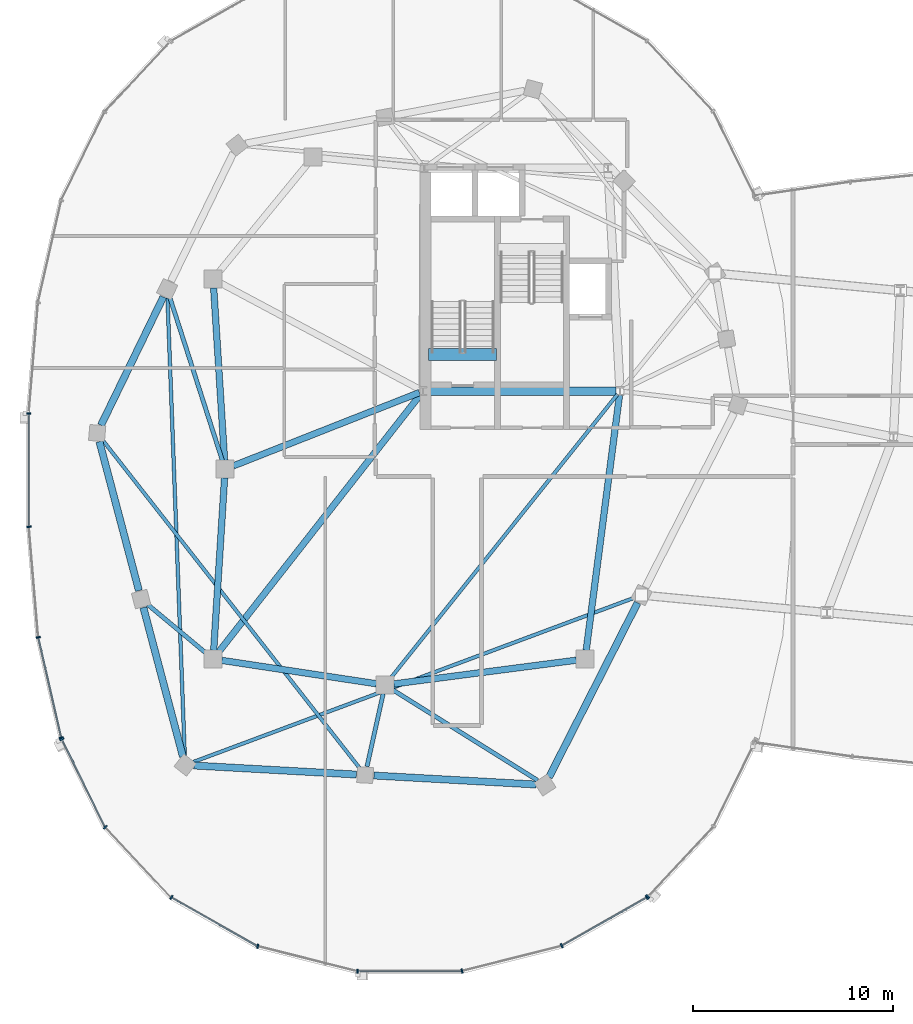
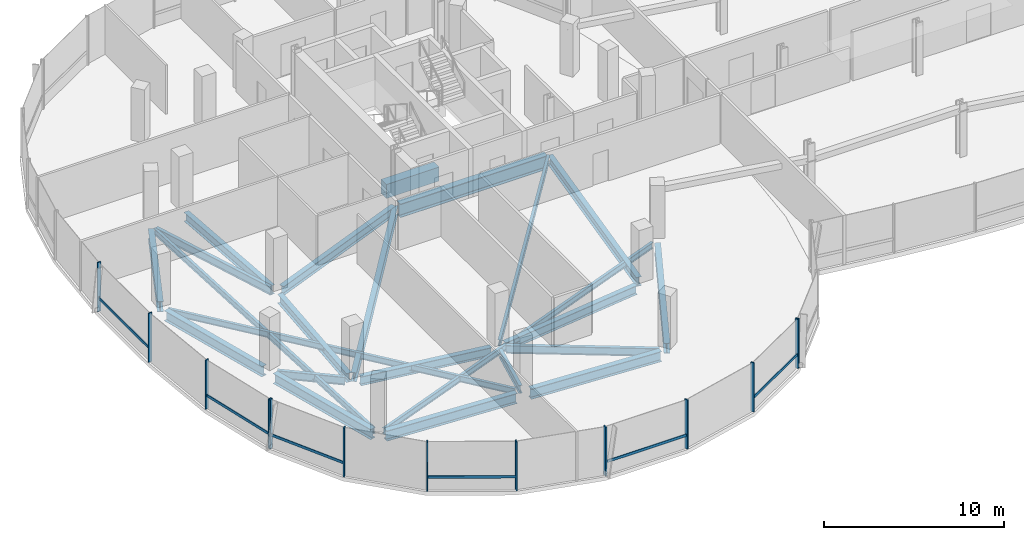
# One storey, part 3 of 25: 23 beams, 19 members, 3 elements without a shape of their own.
"""IFC4 building model written with IfcOpenShell, lengths in metres."""

from ifc_helpers import new_model, si_unit, direction, frame, origin, origin_2d, place, context, subcontext, project, spatial, rectangle, i_section, extrude, material, material_profile, profile_set, type_object, element, aggregate, save


model = new_model("IFC4")

# Units and contexts
model_context = context("Model", 3, precision=1e-05, world=origin(), true_north=direction((0.0, 1.0)))
body_context = subcontext(model_context, "Body", "Model", "MODEL_VIEW")
ifc_project = project(units=[si_unit("LENGTHUNIT", "METRE"), si_unit("AREAUNIT", "SQUARE_METRE"), si_unit("VOLUMEUNIT", "CUBIC_METRE"), si_unit("PLANEANGLEUNIT", "RADIAN"), si_unit("MASSUNIT", "GRAM", prefix="KILO"), si_unit("THERMODYNAMICTEMPERATUREUNIT", "KELVIN"), si_unit("POWERUNIT", "WATT")], contexts=[model_context])

# Site, building, storey
site_placement = place(None, origin())
site = spatial("IfcSite", under=ifc_project, at=site_placement, CompositionType="ELEMENT")
building_placement = place(site_placement, origin())
building = spatial("IfcBuilding", under=site, at=building_placement, Name="Cundina Bronze Exchange", CompositionType="ELEMENT")
storey_placement = place(building_placement, frame((0.0, 0.0, 239.60009765625)))
storey = spatial("IfcBuildingStorey", under=building, at=storey_placement, Name="L63", CompositionType="ELEMENT", Elevation=239.60009765625)

# Beams
ifc_material_1 = material(Name="Concrete C60/75", Category="concrete")
ifc_material_profile_1 = material_profile(ifc_material_1, rectangle(XDim=0.60009765625, YDim=0.949951171875, at=origin_2d()), Name="RC600X950", Category="concrete")
ifc_profile_set_1 = profile_set([ifc_material_profile_1], Name="Concrete C60/75")
beam_type_1 = type_object("IfcBeamType", Name="BM-COUP-RC950", PredefinedType="LINTEL", material=ifc_profile_set_1)
beam_1_placement = place(storey_placement, frame((-31.02001953125, 5.719970703125, -0.47509765625), z_axis=(1.0, 0.0, 0.0), x_axis=(0.0, 1.0, 0.0)))
element("IfcBeam", 1, at=beam_1_placement, inside=storey, type_object=beam_type_1, Name="L63 Stair W1 Landing Header Beam", PredefinedType="LINTEL", context=body_context, shape_type="SweptSolid", body=[
    extrude(rectangle(XDim=0.60009765625, YDim=0.949951171875, at=origin_2d()), origin(), (0.0, 0.0, 1.0), 3.39990234375),
])
ifc_material_2 = material(Name="Steel ASTM A992 Grade 50", Category="steel")
ifc_material_profile_2 = material_profile(ifc_material_2, i_section(OverallWidth=0.2119140625, OverallDepth=0.5439453125, WebThickness=0.01318359375, FlangeThickness=0.021240234375, FilletRadius=0.013916015625, at=origin_2d()), Name="W21X83", Category="steel")
ifc_profile_set_2 = profile_set([ifc_material_profile_2], Name="Steel ASTM A992 Grade 50")
beam_type_2 = type_object("IfcBeamType", Name="BM-FLR-W21A", PredefinedType="BEAM", material=ifc_profile_set_2)
beam_2_placement = place(storey_placement, frame((-41.334228515625, 0.4169921875, -0.531982421875), z_axis=(-0.306727566953, 0.951797352208, 0.0), x_axis=(-0.951797352208, -0.306727566953, 0.0)))
element("IfcBeam", 2, at=beam_2_placement, inside=storey, type_object=beam_type_2, Name="L63 Leg W Radial Floor Beam 07", PredefinedType="BEAM", context=body_context, shape_type="SweptSolid", body=[
    extrude(i_section(OverallWidth=0.2119140625, OverallDepth=0.5439453125, WebThickness=0.01318359375, FlangeThickness=0.021240234375, FilletRadius=0.013916015625, at=origin_2d()), origin(), (0.0, 0.0, 1.0), 8.57958984375),
])
beam_3_placement = place(storey_placement, frame((-42.136474609375, -9.219482421875, -0.531982421875), z_axis=(-0.768247540987, 0.640152884683, 0.0), x_axis=(-0.640152884683, -0.768247540987, 0.0)))
element("IfcBeam", 3, at=beam_3_placement, inside=storey, type_object=beam_type_2, Name="L63 Leg W Radial Floor Beam 09", PredefinedType="BEAM", context=body_context, shape_type="SweptSolid", body=[
    extrude(i_section(OverallWidth=0.2119140625, OverallDepth=0.5439453125, WebThickness=0.01318359375, FlangeThickness=0.021240234375, FilletRadius=0.013916015625, at=origin_2d()), origin(), (0.0, 0.0, 1.0), 3.81005859375),
])
beam_4_placement = place(storey_placement, frame((-33.294921875, -11.2275390625, -0.531982421875), z_axis=(-0.216958151571, -0.976180905605, 0.0), x_axis=(0.976180905605, -0.216958151571, 0.0)))
element("IfcBeam", 4, at=beam_4_placement, inside=storey, type_object=beam_type_2, Name="L63 Leg W Radial Floor Beam 11", PredefinedType="BEAM", context=body_context, shape_type="SweptSolid", body=[
    extrude(i_section(OverallWidth=0.2119140625, OverallDepth=0.5439453125, WebThickness=0.01318359375, FlangeThickness=0.021240234375, FilletRadius=0.013916015625, at=origin_2d()), origin(), (0.0, 0.0, 1.0), 3.733642578125),
])
beam_5_placement = place(storey_placement, frame((-32.82861328125, -11.031982421875, -0.531982421875), z_axis=(0.847995098703, -0.530004068452, 0.0), x_axis=(0.530004068452, 0.847995098703, 0.0)))
element("IfcBeam", 5, at=beam_5_placement, inside=storey, type_object=beam_type_2, Name="L63 Leg W Radial Floor Beam 12", PredefinedType="BEAM", context=body_context, shape_type="SweptSolid", body=[
    extrude(i_section(OverallWidth=0.2119140625, OverallDepth=0.5439453125, WebThickness=0.01318359375, FlangeThickness=0.021240234375, FilletRadius=0.013916015625, at=origin_2d()), origin(), (0.0, 0.0, 1.0), 8.55810546875),
])
ifc_material_profile_3 = material_profile(ifc_material_2, i_section(OverallWidth=0.178955078125, OverallDepth=0.409912109375, WebThickness=0.0087890625, FlangeThickness=0.014404296875, FilletRadius=0.010986328125, at=origin_2d()), Name="W16X45", Category="steel")
ifc_profile_set_3 = profile_set([ifc_material_profile_3], Name="Steel ASTM A992 Grade 50")
beam_type_3 = type_object("IfcBeamType", Name="BM-JST-W16", PredefinedType="JOIST", material=ifc_profile_set_3)
beam_6_placement = place(storey_placement, frame((-21.572509765625, 3.746826171875, -0.465087890625), z_axis=(-0.624364266872, -0.781133319129, 0.0), x_axis=(0.781133319129, -0.624364266872, 0.0)))
element("IfcBeam", 6, at=beam_6_placement, inside=storey, type_object=beam_type_3, Name="L63 W Interior Core-to-Ring Joist 2", PredefinedType="JOIST", context=body_context, shape_type="SweptSolid", body=[
    extrude(i_section(OverallWidth=0.178955078125, OverallDepth=0.409912109375, WebThickness=0.0087890625, FlangeThickness=0.014404296875, FilletRadius=0.010986328125, at=origin_2d()), origin(), (0.0, 0.0, 1.0), 18.184814453125),
])
beam_7_placement = place(storey_placement, frame((-44.08349609375, 8.562255859375, -0.465087890625), z_axis=(0.037790216102, -0.999285694667, 0.0), x_axis=(0.999285694667, 0.037790216102, 0.0)))
element("IfcBeam", 7, at=beam_7_placement, inside=storey, type_object=beam_type_3, Name="L63 Leg W Lobe Floor Joist 07-10", PredefinedType="JOIST", context=body_context, shape_type="SweptSolid", body=[
    extrude(i_section(OverallWidth=0.178955078125, OverallDepth=0.409912109375, WebThickness=0.0087890625, FlangeThickness=0.014404296875, FilletRadius=0.010986328125, at=origin_2d()), origin(), (0.0, 0.0, 1.0), 22.94091796875),
])
beam_8_placement = place(storey_placement, frame((-47.329833984375, 1.455078125, -0.465087890625), z_axis=(0.616810493522, -0.787111691618, 0.0), x_axis=(0.787111691618, 0.616810493522, 0.0)))
element("IfcBeam", 8, at=beam_8_placement, inside=storey, type_object=beam_type_3, Name="L63 Leg W Lobe Floor Joist 08-11", PredefinedType="JOIST", context=body_context, shape_type="SweptSolid", body=[
    extrude(i_section(OverallWidth=0.178955078125, OverallDepth=0.409912109375, WebThickness=0.0087890625, FlangeThickness=0.014404296875, FilletRadius=0.010986328125, at=origin_2d()), origin(), (0.0, 0.0, 1.0), 20.8486328125),
])
beam_9_placement = place(storey_placement, frame((-42.78955078125, -14.647216796875, -0.465087890625), z_axis=(0.937127927239, 0.348986028358, 0.0), x_axis=(-0.348986028358, 0.937127927239, 0.0)))
element("IfcBeam", 9, at=beam_9_placement, inside=storey, type_object=beam_type_3, Name="L63 Leg W Lobe Floor Joist 10-13", PredefinedType="JOIST", context=body_context, shape_type="SweptSolid", body=[
    extrude(i_section(OverallWidth=0.178955078125, OverallDepth=0.409912109375, WebThickness=0.0087890625, FlangeThickness=0.014404296875, FilletRadius=0.010986328125, at=origin_2d()), origin(), (0.0, 0.0, 1.0), 23.48046875),
])
ifc_material_profile_4 = material_profile(ifc_material_2, i_section(OverallWidth=0.324951171875, OverallDepth=0.615966796875, WebThickness=0.013916015625, FlangeThickness=0.021484375, FilletRadius=0.01611328125, at=origin_2d()), Name="W24X117", Category="steel")
ifc_profile_set_4 = profile_set([ifc_material_profile_4], Name="Steel ASTM A992 Grade 50")
beam_type_4 = type_object("IfcBeamType", Name="BM-RING-W24", PredefinedType="USERDEFINED", material=ifc_profile_set_4)
for number, where, z_axis, x_axis, name in (
    (10, (-41.7724609375, 9.06298828125, -0.568115234375), (0.063046519736, -0.998010589297, 0.0), (0.998010589297, 0.063046519736, 0.0), "L63 W Inner Structural Ring Girder 03"),
    (11, (-41.2275390625, -0.43701171875, -0.568115234375), (-0.063046519736, -0.998010589297, 0.0), (0.998010589297, -0.063046519736, 0.0), "L63 W Inner Structural Ring Girder 04"),
):
    element("IfcBeam", number, at=place(storey_placement, frame(where, z_axis=z_axis, x_axis=x_axis)), inside=storey, type_object=beam_type_4, Name=name, ObjectType="GIRDER", PredefinedType="USERDEFINED", context=body_context, shape_type="SweptSolid", body=[
        extrude(i_section(OverallWidth=0.324951171875, OverallDepth=0.615966796875, WebThickness=0.013916015625, FlangeThickness=0.021484375, FilletRadius=0.01611328125, at=origin_2d()), origin(), (0.0, 0.0, 1.0), 8.64306640625),
    ])
beam_10_placement = place(storey_placement, frame((-41.366943359375, -9.5654296875, -0.568115234375), z_axis=(0.988764903598, -0.149478979839, 0.0), x_axis=(0.149478979839, 0.988764903598, 0.0)))
element("IfcBeam", 12, at=beam_10_placement, inside=storey, type_object=beam_type_4, Name="L63 W Inner Structural Ring Girder 05", ObjectType="GIRDER", PredefinedType="USERDEFINED", context=body_context, shape_type="SweptSolid", body=[
    extrude(i_section(OverallWidth=0.324951171875, OverallDepth=0.615966796875, WebThickness=0.013916015625, FlangeThickness=0.021484375, FilletRadius=0.01611328125, at=origin_2d()), origin(), (0.0, 0.0, 1.0), 7.82177734375),
])
beam_11_placement = place(storey_placement, frame((-32.765625, -10.743408203125, -0.568115234375), z_axis=(0.991656498582, 0.128908451316, 0.0), x_axis=(-0.128908451316, 0.991656498582, 0.0)))
element("IfcBeam", 13, at=beam_11_placement, inside=storey, type_object=beam_type_4, Name="L63 W Inner Structural Ring Girder 06", ObjectType="GIRDER", PredefinedType="USERDEFINED", context=body_context, shape_type="SweptSolid", body=[
    extrude(i_section(OverallWidth=0.324951171875, OverallDepth=0.615966796875, WebThickness=0.013916015625, FlangeThickness=0.021484375, FilletRadius=0.01611328125, at=origin_2d()), origin(), (0.0, 0.0, 1.0), 9.208251953125),
])
beam_12_placement = place(storey_placement, frame((-23.143310546875, -9.065673828125, -0.568115234375), z_axis=(0.129501251979, 0.991579258424, 0.0), x_axis=(-0.991579258424, 0.129501251979, 0.0)))
element("IfcBeam", 14, at=beam_12_placement, inside=storey, type_object=beam_type_4, Name="L63 W Inner Structural Ring Girder 07", ObjectType="GIRDER", PredefinedType="USERDEFINED", context=body_context, shape_type="SweptSolid", body=[
    extrude(i_section(OverallWidth=0.324951171875, OverallDepth=0.615966796875, WebThickness=0.013916015625, FlangeThickness=0.021484375, FilletRadius=0.01611328125, at=origin_2d()), origin(), (0.0, 0.0, 1.0), 12.8798828125),
])
beam_13_placement = place(storey_placement, frame((-31.482421875, 3.828125, -0.568115234375), z_axis=(-0.930404106569, -0.366535398673, 0.0), x_axis=(0.366535398673, -0.930404106569, 0.0)))
element("IfcBeam", 15, at=beam_13_placement, inside=storey, type_object=beam_type_4, Name="L63 W Core-to-Waist Tie Beam 1", ObjectType="GIRDER", PredefinedType="USERDEFINED", context=body_context, shape_type="SweptSolid", body=[
    extrude(i_section(OverallWidth=0.324951171875, OverallDepth=0.615966796875, WebThickness=0.013916015625, FlangeThickness=0.021484375, FilletRadius=0.01611328125, at=origin_2d()), origin(), (0.0, 0.0, 1.0), 10.00634765625),
])
beam_14_placement = place(storey_placement, frame((-31.4208984375, 3.74560546875, -0.568115234375), z_axis=(-0.616782900053, -0.787133314123, 0.0), x_axis=(0.787133314123, -0.616782900053, 0.0)))
element("IfcBeam", 16, at=beam_14_placement, inside=storey, type_object=beam_type_4, Name="L63 W Core-to-Waist Tie Beam 3", ObjectType="GIRDER", PredefinedType="USERDEFINED", context=body_context, shape_type="SweptSolid", body=[
    extrude(i_section(OverallWidth=0.324951171875, OverallDepth=0.615966796875, WebThickness=0.013916015625, FlangeThickness=0.021484375, FilletRadius=0.01611328125, at=origin_2d()), origin(), (0.0, 0.0, 1.0), 16.3896484375),
])
ifc_material_profile_5 = material_profile(ifc_material_2, i_section(OverallWidth=0.35498046875, OverallDepth=0.695068359375, WebThickness=0.015380859375, FlangeThickness=0.02490234375, FilletRadius=0.01806640625, at=origin_2d()), Name="W27X146", Category="steel")
ifc_profile_set_5 = profile_set([ifc_material_profile_5], Name="Steel ASTM A992 Grade 50")
beam_type_5 = type_object("IfcBeamType", Name="BM-RING-W27", PredefinedType="USERDEFINED", material=ifc_profile_set_5)
beam_15_placement = place(storey_placement, frame((-44.29150390625, 8.606201171875, -0.607666015625), z_axis=(-0.437173087764, -0.89937739094, 0.0), x_axis=(0.89937739094, -0.437173087764, 0.0)))
element("IfcBeam", 17, at=beam_15_placement, inside=storey, type_object=beam_type_5, Name="L63 W Perimeter Ring Girder 07", ObjectType="GIRDER", PredefinedType="USERDEFINED", context=body_context, shape_type="SweptSolid", body=[
    extrude(i_section(OverallWidth=0.35498046875, OverallDepth=0.695068359375, WebThickness=0.015380859375, FlangeThickness=0.02490234375, FilletRadius=0.01806640625, at=origin_2d()), origin(), (0.0, 0.0, 1.0), 7.1298828125),
])
for number, where, z_axis, x_axis, name in (
    (18, (-47.48779296875, 1.376708984375, -0.607666015625), (0.256211934474, -0.966620631185, 0.0), (0.966620631185, 0.256211934474, 0.0), "L63 W Perimeter Ring Girder 08"),
    (19, (-45.287841796875, -6.92333984375, -0.607666015625), (0.256211934474, -0.966620631185, 0.0), (0.966620631185, 0.256211934474, 0.0), "L63 W Perimeter Ring Girder 09"),
):
    element("IfcBeam", number, at=place(storey_placement, frame(where, z_axis=z_axis, x_axis=x_axis)), inside=storey, type_object=beam_type_5, Name=name, ObjectType="GIRDER", PredefinedType="USERDEFINED", context=body_context, shape_type="SweptSolid", body=[
        extrude(i_section(OverallWidth=0.35498046875, OverallDepth=0.695068359375, WebThickness=0.015380859375, FlangeThickness=0.02490234375, FilletRadius=0.01806640625, at=origin_2d()), origin(), (0.0, 0.0, 1.0), 7.710693359375),
    ])
for number, where, z_axis, x_axis, name in (
    (20, (-42.7626953125, -14.82421875, -0.607666015625), (0.998460353205, -0.055470019623, 0.0), (0.055470019623, 0.998460353205, 0.0), "L63 W Perimeter Ring Girder 10"),
    (21, (-33.7626953125, -15.32421875, -0.607666015625), (0.998460353205, -0.055470019623, 0.0), (0.055470019623, 0.998460353205, 0.0), "L63 W Perimeter Ring Girder 11"),
):
    element("IfcBeam", number, at=place(storey_placement, frame(where, z_axis=z_axis, x_axis=x_axis)), inside=storey, type_object=beam_type_5, Name=name, ObjectType="GIRDER", PredefinedType="USERDEFINED", context=body_context, shape_type="SweptSolid", body=[
        extrude(i_section(OverallWidth=0.35498046875, OverallDepth=0.695068359375, WebThickness=0.015380859375, FlangeThickness=0.02490234375, FilletRadius=0.01806640625, at=origin_2d()), origin(), (0.0, 0.0, 1.0), 8.137939453125),
    ])
beam_16_placement = place(storey_placement, frame((-25.001708984375, -15.409423828125, -0.607666015625), z_axis=(0.452846871434, 0.891588308039, 0.0), x_axis=(-0.891588308039, 0.452846871434, 0.0)))
element("IfcBeam", 22, at=beam_16_placement, inside=storey, type_object=beam_type_5, Name="L63 W Perimeter Ring Girder 12", ObjectType="GIRDER", PredefinedType="USERDEFINED", context=body_context, shape_type="SweptSolid", body=[
    extrude(i_section(OverallWidth=0.35498046875, OverallDepth=0.695068359375, WebThickness=0.015380859375, FlangeThickness=0.02490234375, FilletRadius=0.01806640625, at=origin_2d()), origin(), (0.0, 0.0, 1.0), 9.779052734375),
])
ifc_material_profile_6 = material_profile(ifc_material_2, i_section(OverallWidth=0.41796875, OverallDepth=0.927001953125, WebThickness=0.019287109375, FlangeThickness=0.031982421875, FilletRadius=0.02392578125, at=origin_2d()), Name="W36X231", Category="steel")
ifc_profile_set_6 = profile_set([ifc_material_profile_6], Name="Steel ASTM A992 Grade 50")
beam_type_6 = type_object("IfcBeamType", Name="BM-WRN-W36B", PredefinedType="USERDEFINED", material=ifc_profile_set_6)
beam_17_placement = place(storey_placement, frame((-31.10400390625, 3.89990234375, -0.7236328125), z_axis=(1.0, 0.0, 0.0), x_axis=(0.0, 1.0, 0.0)))
element("IfcBeam", 23, at=beam_17_placement, inside=storey, type_object=beam_type_6, Name="L63 W Core Perimeter Tie Girder 1", ObjectType="GIRDER", PredefinedType="USERDEFINED", context=body_context, shape_type="SweptSolid", body=[
    extrude(i_section(OverallWidth=0.41796875, OverallDepth=0.927001953125, WebThickness=0.019287109375, FlangeThickness=0.031982421875, FilletRadius=0.02392578125, at=origin_2d()), origin(), (0.0, 0.0, 1.0), 9.4580078125),
])

# Curtain wall, members
ifc_material_3 = material(Name="Anodised Bronze Aluminium 6063-T6", Category="aluminium")
curtain_wall_type = type_object("IfcCurtainWallType", Name="CWS-SKG-BRG", PredefinedType="NOTDEFINED", material=ifc_material_3)
curtain_wall_1_placement = place(storey_placement, origin())
curtain_wall_1 = element("IfcCurtainWall", 24, at=curtain_wall_1_placement, inside=storey, type_object=curtain_wall_type, Name="L63 CW-06 Curtain Wall Run CWR-L63-W2", PredefinedType="NOTDEFINED")
ifc_material_profile_7 = material_profile(ifc_material_3, rectangle(XDim=0.074951171875, YDim=0.219970703125, at=origin_2d()), Name="AL75X220", Category="aluminium")
ifc_profile_set_7 = profile_set([ifc_material_profile_7], Name="Anodised Bronze Aluminium 6063-T6")
member_type_1 = type_object("IfcMemberType", Name="CWM-MUL-220", PredefinedType="MULLION", material=ifc_profile_set_7)
member_1_placement = place(storey_placement, frame((-51.01904296875, 2.79150390625, 0.0), z_axis=(0.0, 0.0, 1.0), x_axis=(0.0, -1.0, 0.0)))
member_1 = element("IfcMember", 25, at=member_1_placement, type_object=member_type_1, Name="CW-06 Mullion 5", PredefinedType="MULLION", context=body_context, shape_type="SweptSolid", body=[
    extrude(rectangle(XDim=0.074951171875, YDim=0.219970703125, at=origin_2d()), origin(), (0.0, 0.0, 1.0), 3.33984375),
])
member_2_placement = place(storey_placement, frame((-51.01513671875, -2.885498046875, 0.0), z_axis=(0.0, 0.0, 1.0), x_axis=(0.083677843332, -0.99649285925, 0.0)))
member_2 = element("IfcMember", 26, at=member_2_placement, type_object=member_type_1, Name="CW-06 Mullion 6", PredefinedType="MULLION", context=body_context, shape_type="SweptSolid", body=[
    extrude(rectangle(XDim=0.074951171875, YDim=0.219970703125, at=origin_2d()), origin(), (0.0, 0.0, 1.0), 3.33984375),
])
member_3_placement = place(storey_placement, frame((-50.544677734375, -8.4111328125, 0.0), z_axis=(0.0, 0.0, 1.0), x_axis=(0.223250116011, -0.974761194191, 0.0)))
member_3 = element("IfcMember", 27, at=member_3_placement, type_object=member_type_1, Name="CW-06 Mullion 7", PredefinedType="MULLION", context=body_context, shape_type="SweptSolid", body=[
    extrude(rectangle(XDim=0.074951171875, YDim=0.219970703125, at=origin_2d()), origin(), (0.0, 0.0, 1.0), 3.33984375),
])
member_4_placement = place(storey_placement, frame((-49.39404296875, -13.433837890625, 0.0), z_axis=(0.0, 0.0, 1.0), x_axis=(0.223250116011, -0.974761194191, 0.0)))
member_4 = element("IfcMember", 28, at=member_4_placement, type_object=member_type_1, Name="CW-06 End Mullion", PredefinedType="MULLION", context=body_context, shape_type="SweptSolid", body=[
    extrude(rectangle(XDim=0.074951171875, YDim=0.219970703125, at=origin_2d()), origin(), (0.0, 0.0, 1.0), 3.33984375),
])

curtain_wall_2_placement = place(storey_placement, origin())
curtain_wall_2 = element("IfcCurtainWall", 29, at=curtain_wall_2_placement, inside=storey, type_object=curtain_wall_type, Name="L63 CW-06 Curtain Wall Run CWR-L63-W3", PredefinedType="NOTDEFINED")
member_5_placement = place(storey_placement, frame((-49.369140625, -13.50390625, 0.0), z_axis=(0.0, 0.0, 1.0), x_axis=(0.440566004113, -0.897720221461, 0.0)))
member_5 = element("IfcMember", 30, at=member_5_placement, type_object=member_type_1, Name="CW-06 Mullion 1", PredefinedType="MULLION", context=body_context, shape_type="SweptSolid", body=[
    extrude(rectangle(XDim=0.074951171875, YDim=0.219970703125, at=origin_2d()), origin(), (0.0, 0.0, 1.0), 3.33984375),
])
member_6_placement = place(storey_placement, frame((-47.1962890625, -17.910400390625, 0.0), z_axis=(0.0, 0.0, 1.0), x_axis=(0.684292606175, -0.729207535023, 0.0)))
member_6 = element("IfcMember", 31, at=member_6_placement, type_object=member_type_1, Name="CW-06 Mullion 2", PredefinedType="MULLION", context=body_context, shape_type="SweptSolid", body=[
    extrude(rectangle(XDim=0.074951171875, YDim=0.219970703125, at=origin_2d()), origin(), (0.0, 0.0, 1.0), 3.33984375),
])
member_7_placement = place(storey_placement, frame((-43.88916015625, -21.419921875, 0.0), z_axis=(0.0, 0.0, 1.0), x_axis=(0.86958112538, -0.493790103568, 0.0)))
member_7 = element("IfcMember", 32, at=member_7_placement, type_object=member_type_1, Name="CW-06 Mullion 3", PredefinedType="MULLION", context=body_context, shape_type="SweptSolid", body=[
    extrude(rectangle(XDim=0.074951171875, YDim=0.219970703125, at=origin_2d()), origin(), (0.0, 0.0, 1.0), 3.33984375),
])
member_8_placement = place(storey_placement, frame((-39.5703125, -23.86181640625, 0.0), z_axis=(0.0, 0.0, 1.0), x_axis=(0.969744325821, -0.244122802168, 0.0)))
member_8 = element("IfcMember", 33, at=member_8_placement, type_object=member_type_1, Name="CW-06 Mullion 4", PredefinedType="MULLION", context=body_context, shape_type="SweptSolid", body=[
    extrude(rectangle(XDim=0.074951171875, YDim=0.219970703125, at=origin_2d()), origin(), (0.0, 0.0, 1.0), 3.33984375),
])
member_9_placement = place(storey_placement, frame((-34.576416015625, -25.110107421875, 0.0), z_axis=(0.0, 0.0, 1.0), x_axis=(1.0, 0.0, 0.0)))
member_9 = element("IfcMember", 34, at=member_9_placement, type_object=member_type_1, Name="CW-06 Mullion 5", PredefinedType="MULLION", context=body_context, shape_type="SweptSolid", body=[
    extrude(rectangle(XDim=0.074951171875, YDim=0.219970703125, at=origin_2d()), origin(), (0.0, 0.0, 1.0), 3.33984375),
])
member_10_placement = place(storey_placement, frame((-29.351806640625, -25.10107421875, 0.0), z_axis=(0.0, 0.0, 1.0), x_axis=(0.969744325821, 0.244122802168, 0.0)))
member_10 = element("IfcMember", 35, at=member_10_placement, type_object=member_type_1, Name="CW-06 Mullion 6", PredefinedType="MULLION", context=body_context, shape_type="SweptSolid", body=[
    extrude(rectangle(XDim=0.074951171875, YDim=0.219970703125, at=origin_2d()), origin(), (0.0, 0.0, 1.0), 3.33984375),
])
member_11_placement = place(storey_placement, frame((-24.365478515625, -23.8359375, 0.0), z_axis=(0.0, 0.0, 1.0), x_axis=(0.86958112538, 0.493790103568, 0.0)))
member_11 = element("IfcMember", 36, at=member_11_placement, type_object=member_type_1, Name="CW-06 Mullion 7", PredefinedType="MULLION", context=body_context, shape_type="SweptSolid", body=[
    extrude(rectangle(XDim=0.074951171875, YDim=0.219970703125, at=origin_2d()), origin(), (0.0, 0.0, 1.0), 3.33984375),
])
member_12_placement = place(storey_placement, frame((-20.11083984375, -21.419921875, 0.0), z_axis=(0.0, 0.0, 1.0), x_axis=(0.86958112538, 0.493790103568, 0.0)))
member_12 = element("IfcMember", 37, at=member_12_placement, type_object=member_type_1, Name="CW-06 End Mullion", PredefinedType="MULLION", context=body_context, shape_type="SweptSolid", body=[
    extrude(rectangle(XDim=0.074951171875, YDim=0.219970703125, at=origin_2d()), origin(), (0.0, 0.0, 1.0), 3.33984375),
])

# Curtain wall, member
curtain_wall_3_placement = place(storey_placement, origin())
curtain_wall_3 = element("IfcCurtainWall", 38, at=curtain_wall_3_placement, inside=storey, type_object=curtain_wall_type, Name="L63 CW-06 Curtain Wall Run CWR-L63-W4", PredefinedType="NOTDEFINED")
member_13_placement = place(storey_placement, frame((-20.059814453125, -21.3798828125, 0.0), z_axis=(0.0, 0.0, 1.0), x_axis=(0.684292606175, 0.729207535023, 0.0)))
member_13 = element("IfcMember", 39, at=member_13_placement, type_object=member_type_1, Name="CW-06 Mullion 1", PredefinedType="MULLION", context=body_context, shape_type="SweptSolid", body=[
    extrude(rectangle(XDim=0.074951171875, YDim=0.219970703125, at=origin_2d()), origin(), (0.0, 0.0, 1.0), 3.33984375),
])
aggregate(curtain_wall_3, [member_13])

# Member
ifc_material_profile_8 = material_profile(ifc_material_3, rectangle(XDim=0.070068359375, YDim=0.179931640625, at=origin_2d()), Name="AL70X180", Category="aluminium")
ifc_profile_set_8 = profile_set([ifc_material_profile_8], Name="Anodised Bronze Aluminium 6063-T6")
member_type_2 = type_object("IfcMemberType", Name="CWM-TRN-180", PredefinedType="USERDEFINED", material=ifc_profile_set_8)
member_14_placement = place(storey_placement, frame((-51.01904296875, 2.750244140625, 0.919921875), z_axis=(0.0, -1.0, 0.0), x_axis=(1.0, 0.0, 0.0)))
member_14 = element("IfcMember", 40, at=member_14_placement, type_object=member_type_2, Name="CW-06 Spandrel Transom 5", ObjectType="TRANSOM", PredefinedType="USERDEFINED", context=body_context, shape_type="SweptSolid", body=[
    extrude(rectangle(XDim=0.070068359375, YDim=0.179931640625, at=origin_2d()), origin(), (0.0, 0.0, 1.0), 5.5830078125),
])

member_15_placement = place(storey_placement, frame((-50.535400390625, -8.451416015625, 0.919921875), z_axis=(0.223283702293, -0.974753501297, 0.0), x_axis=(0.974753501297, 0.223283702293, 0.0)))
member_15 = element("IfcMember", 41, at=member_15_placement, type_object=member_type_2, Name="CW-06 Spandrel Transom 7", ObjectType="TRANSOM", PredefinedType="USERDEFINED", context=body_context, shape_type="SweptSolid", body=[
    extrude(rectangle(XDim=0.070068359375, YDim=0.179931640625, at=origin_2d()), origin(), (0.0, 0.0, 1.0), 5.070068359375),
])

aggregate(curtain_wall_1, [member_1, member_14, member_2, member_3, member_4, member_15])

member_16_placement = place(storey_placement, frame((-49.35107421875, -13.541015625, 0.919921875), z_axis=(0.440554408939, -0.897725911826, 0.0), x_axis=(0.897725911826, 0.440554408939, 0.0)))
member_16 = element("IfcMember", 42, at=member_16_placement, type_object=member_type_2, Name="CW-06 Spandrel Transom 1", ObjectType="TRANSOM", PredefinedType="USERDEFINED", context=body_context, shape_type="SweptSolid", body=[
    extrude(rectangle(XDim=0.070068359375, YDim=0.179931640625, at=origin_2d()), origin(), (0.0, 0.0, 1.0), 4.848388671875),
])

member_17_placement = place(storey_placement, frame((-43.853271484375, -21.440185546875, 0.919921875), z_axis=(0.869557366176, -0.493831941989, 0.0), x_axis=(0.493831941989, 0.869557366176, 0.0)))
member_17 = element("IfcMember", 43, at=member_17_placement, type_object=member_type_2, Name="CW-06 Spandrel Transom 3", ObjectType="TRANSOM", PredefinedType="USERDEFINED", context=body_context, shape_type="SweptSolid", body=[
    extrude(rectangle(XDim=0.070068359375, YDim=0.179931640625, at=origin_2d()), origin(), (0.0, 0.0, 1.0), 4.892822265625),
])

member_18_placement = place(storey_placement, frame((-34.53515625, -25.110107421875, 0.919921875), z_axis=(1.0, 0.0, 0.0), x_axis=(0.0, 1.0, 0.0)))
member_18 = element("IfcMember", 44, at=member_18_placement, type_object=member_type_2, Name="CW-06 Spandrel Transom 5", ObjectType="TRANSOM", PredefinedType="USERDEFINED", context=body_context, shape_type="SweptSolid", body=[
    extrude(rectangle(XDim=0.070068359375, YDim=0.179931640625, at=origin_2d()), origin(), (0.0, 0.0, 1.0), 5.153076171875),
])

member_19_placement = place(storey_placement, frame((-24.32958984375, -23.815673828125, 0.919921875), z_axis=(0.869558105282, 0.493830640542, 0.0), x_axis=(-0.493830640542, 0.869558105282, 0.0)))
member_19 = element("IfcMember", 45, at=member_19_placement, type_object=member_type_2, Name="CW-06 Spandrel Transom 7", ObjectType="TRANSOM", PredefinedType="USERDEFINED", context=body_context, shape_type="SweptSolid", body=[
    extrude(rectangle(XDim=0.070068359375, YDim=0.179931640625, at=origin_2d()), origin(), (0.0, 0.0, 1.0), 4.810302734375),
])

aggregate(curtain_wall_2, [member_5, member_16, member_6, member_7, member_17, member_8, member_9, member_18, member_10, member_11, member_12, member_19])

save(model, "model.ifc")
